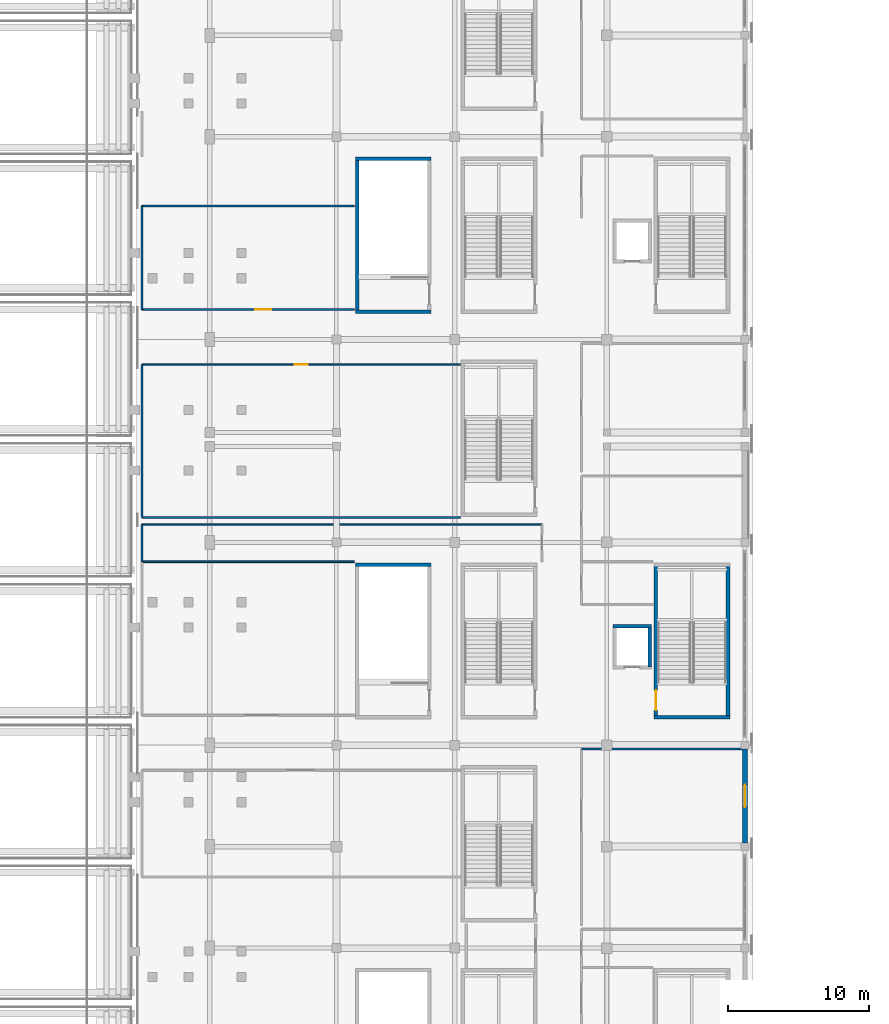
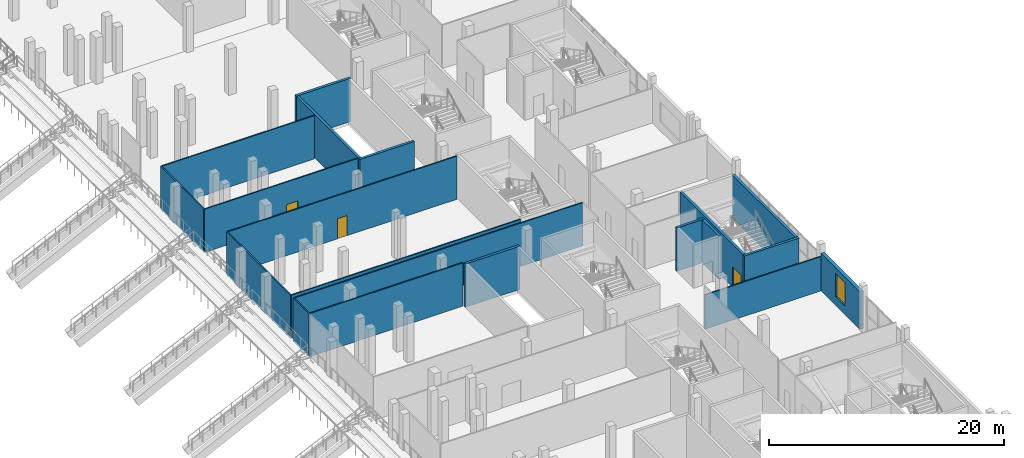
# One storey, part 81 of 129: 20 walls, 3 doors, 1 window, 4 openings.
"""IFC4 building model written with IfcOpenShell, lengths in metres."""

from ifc_helpers import new_model, si_unit, direction, frame, frame_2d, origin, place, context, subcontext, project, spatial, rectangle, extrude, material, layer, layer_set, type_object, element, fill, save


model = new_model("IFC4")

# Units and contexts
model_context = context("Model", 3, precision=1e-05, world=origin(), true_north=direction((0.0, 1.0)))
body_context = subcontext(model_context, "Body", "Model", "MODEL_VIEW")
ifc_project = project(units=[si_unit("LENGTHUNIT", "METRE"), si_unit("AREAUNIT", "SQUARE_METRE"), si_unit("VOLUMEUNIT", "CUBIC_METRE"), si_unit("PLANEANGLEUNIT", "RADIAN"), si_unit("MASSUNIT", "GRAM", prefix="KILO")], contexts=[model_context])

# Site, building, storey
site_placement = place(None, origin())
site = spatial("IfcSite", under=ifc_project, at=site_placement, CompositionType="ELEMENT")
building_placement = place(site_placement, origin())
building = spatial("IfcBuilding", under=site, at=building_placement, Name="Koshinbarg Plaza Stadium", CompositionType="ELEMENT")
storey_placement = place(building_placement, frame((0.0, 0.0, 5.39990234375)))
storey = spatial("IfcBuildingStorey", under=building, at=storey_placement, Name="L01", CompositionType="ELEMENT", Elevation=5.39990234375)

# Wall
ifc_material_1 = material(Name="Concrete C40/50", Category="concrete")
ifc_layer_1 = layer(ifc_material_1, 0.25)
ifc_layer_set_1 = layer_set([ifc_layer_1], Name="Concrete C40/50")
wall_type_1 = type_object("IfcWallType", Name="WL-CORE-250", PredefinedType="SHEAR", material=ifc_layer_set_1)
wall_1_placement = place(storey_placement, frame((211.949951171875, 56.27490234375, 0.0), z_axis=(0.0, 0.0, 1.0), x_axis=(1.0, 0.0, 0.0)))
element("IfcWall", 1, at=wall_1_placement, inside=storey, type_object=wall_type_1, Name="L01 core stair shear wall C08-near IWL-L01-0190", PredefinedType="SHEAR", context=body_context, shape_type="SweptSolid", body=[
    extrude(rectangle(XDim=5.3701171875, YDim=0.25, at=frame_2d((2.68505859375, 0.0))), origin(), (0.0, 0.0, 1.0), 4.5),
])

# Wall, opening, door
wall_2_placement = place(storey_placement, frame((212.074951171875, 56.27490234375, 0.0), z_axis=(0.0, 0.0, 1.0), x_axis=(0.0, 1.0, 0.0)))
wall_2 = element("IfcWall", 2, at=wall_2_placement, inside=storey, type_object=wall_type_1, Name="L01 core stair shear wall C08-left IWL-L01-0192", PredefinedType="SHEAR", context=body_context, shape_type="SweptSolid", body=[
    extrude(rectangle(XDim=10.85009765625, YDim=0.25, at=frame_2d((5.425048828125, 0.0))), origin(), (0.0, 0.0, 1.0), 4.5),
])
opening_1_placement = place(wall_2_placement, frame((0.52001953125, 0.0, 0.0)))
opening_1 = element("IfcOpeningElement", 3, at=opening_1_placement, cuts=wall_2, Name="Opening D-0110", PredefinedType="OPENING", context=body_context, shape_type="SweptSolid", body=[
    extrude(rectangle(XDim=1.39990234375, YDim=2.14990234375, at=frame_2d((0.699951171875, 1.074951171875))), frame((0.0, 0.135009765625, 0.0), z_axis=(0.0, -1.0, 0.0), x_axis=(1.0, 0.0, 0.0)), (0.0, 0.0, 1.0), 0.27001953125),
])
ifc_material_2 = material(Name="Painted galvanized steel fire door", Category="steel")
door_type_1 = type_object("IfcDoorType", Name="DR-STAIR-1400", OperationType="NOTDEFINED", PredefinedType="DOOR", material=ifc_material_2)
door_1_placement = place(opening_1_placement, frame((1.39990234375, 0.0, 0.0), z_axis=(0.0, 0.0, 1.0), x_axis=(-1.0, 0.0, 0.0)))
door_1 = element("IfcDoor", 4, at=door_1_placement, inside=storey, type_object=door_type_1, Name="L01 exit stair door C08", OperationType="SINGLE_SWING_RIGHT", OverallHeight=2.14990234375, OverallWidth=1.39990234375, PredefinedType="DOOR", context=body_context, shape_type="SweptSolid", body=[
    extrude(rectangle(XDim=1.39990234375, YDim=2.14990234375, at=frame_2d((0.699951171875, 1.074951171875))), frame((0.0, 0.02490234375, 0.0), z_axis=(0.0, -1.0, 0.0), x_axis=(1.0, 0.0, 0.0)), (0.0, 0.0, 1.0), 0.050048828125),
])
fill(opening_1, door_1)

# Walls
wall_3_placement = place(storey_placement, frame((217.195068359375, 56.27490234375, 0.0), z_axis=(0.0, 0.0, 1.0), x_axis=(0.0, 1.0, 0.0)))
element("IfcWall", 5, at=wall_3_placement, inside=storey, type_object=wall_type_1, Name="L01 core stair shear wall C08-right IWL-L01-0193", PredefinedType="SHEAR", context=body_context, shape_type="SweptSolid", body=[
    extrude(rectangle(XDim=10.85009765625, YDim=0.25, at=frame_2d((5.425048828125, 0.0))), origin(), (0.0, 0.0, 1.0), 4.5),
])
for number, where, z_axis, x_axis, name in (
    (6, (196.1201171875, 67.125, 0.0), (0.0, 0.0, 1.0), (-1.0, 0.0, 0.0), "L01 vomitory stair shear wall VL06-far IWL-L01-0591"),
    (7, (190.75, 85.074951171875, 0.0), (0.0, 0.0, 1.0), (1.0, 0.0, 0.0), "L01 vomitory stair shear wall VL07-near IWL-L01-0598"),
    (8, (196.1201171875, 95.925048828125, 0.0), (0.0, 0.0, 1.0), (-1.0, 0.0, 0.0), "L01 vomitory stair shear wall VL07-far IWL-L01-0599"),
):
    element("IfcWall", number, at=place(storey_placement, frame(where, z_axis=z_axis, x_axis=x_axis)), inside=storey, type_object=wall_type_1, Name=name, PredefinedType="SHEAR", context=body_context, shape_type="SweptSolid", body=[
        extrude(rectangle(XDim=5.3701171875, YDim=0.25, at=frame_2d((2.68505859375, 0.0))), origin(), (0.0, 0.0, 1.0), 4.5),
    ])
wall_4_placement = place(storey_placement, frame((190.875, 85.074951171875, 0.0), z_axis=(0.0, 0.0, 1.0), x_axis=(0.0, 1.0, 0.0)))
element("IfcWall", 9, at=wall_4_placement, inside=storey, type_object=wall_type_1, Name="L01 vomitory stair shear wall VL07-left IWL-L01-0600", PredefinedType="SHEAR", context=body_context, shape_type="SweptSolid", body=[
    extrude(rectangle(XDim=10.85009765625, YDim=0.25, at=frame_2d((5.425048828125, 0.0))), origin(), (0.0, 0.0, 1.0), 4.5),
])
wall_5_placement = place(storey_placement, frame((211.77490234375, 62.75, 0.0), z_axis=(0.0, 0.0, 1.0), x_axis=(-1.0, 0.0, 0.0)))
element("IfcWall", 10, at=wall_5_placement, inside=storey, type_object=wall_type_1, Name="L01 lift shaft shear wall LP04-N IWL-L01-0891", PredefinedType="SHEAR", context=body_context, shape_type="SweptSolid", body=[
    extrude(rectangle(XDim=2.75, YDim=0.25, at=frame_2d((1.375, 0.0))), origin(), (0.0, 0.0, 1.0), 4.5),
])
wall_6_placement = place(storey_placement, frame((211.64990234375, 59.85009765625, 0.0), z_axis=(0.0, 0.0, 1.0), x_axis=(0.0, 1.0, 0.0)))
element("IfcWall", 11, at=wall_6_placement, inside=storey, type_object=wall_type_1, Name="L01 lift shaft shear wall LP04-E IWL-L01-0893", PredefinedType="SHEAR", context=body_context, shape_type="SweptSolid", body=[
    extrude(rectangle(XDim=2.89990234375, YDim=0.25, at=frame_2d((1.449951171875, 0.0))), origin(), (0.0, 0.0, 1.0), 4.5),
])

# Wall, opening, window
ifc_material_3 = material(Name="Acoustic insulated masonry stadium wall", Category="masonry")
ifc_layer_2 = layer(ifc_material_3, 0.35009765625)
ifc_layer_set_2 = layer_set([ifc_layer_2], Name="Acoustic insulated masonry stadium wall")
wall_type_2 = type_object("IfcWallType", Name="WL-EXT-350", PredefinedType="SOLIDWALL", material=ifc_layer_set_2)
wall_7_placement = place(storey_placement, frame((218.39990234375, 54.030029296875, 0.0), z_axis=(0.0, 0.0, 1.0), x_axis=(0.0, -1.0, 0.0)))
wall_7 = element("IfcWall", 12, at=wall_7_placement, inside=storey, type_object=wall_type_2, Name="L01 exterior envelope wall EWL-L01-0095", PredefinedType="SOLIDWALL", context=body_context, shape_type="SweptSolid", body=[
    extrude(rectangle(XDim=6.659912109375, YDim=0.35009765625, at=frame_2d((3.330078125, 0.0))), origin(), (0.0, 0.0, 1.0), 3.880126953125),
])
opening_2_placement = place(wall_7_placement, frame((2.530029296875, 0.0, 0.89990234375)))
opening_2 = element("IfcOpeningElement", 13, at=opening_2_placement, cuts=wall_7, Name="Opening WN19", PredefinedType="OPENING", context=body_context, shape_type="SweptSolid", body=[
    extrude(rectangle(XDim=1.60009765625, YDim=2.39990234375, at=frame_2d((0.800048828125, 1.199951171875))), frame((0.0, 0.18505859375, 0.0), z_axis=(0.0, -1.0, 0.0), x_axis=(1.0, 0.0, 0.0)), (0.0, 0.0, 1.0), 0.3701171875),
])
ifc_material_4 = material(Name="Solar-control double glazing in thermally broken aluminium frame", Category="aluminium")
window_type = type_object("IfcWindowType", Name="WN-FAC-19", PartitioningType="DOUBLE_PANEL_VERTICAL", PredefinedType="WINDOW", material=ifc_material_4)
window_placement = place(opening_2_placement, origin())
window = element("IfcWindow", 14, at=window_placement, inside=storey, type_object=window_type, Name="L01 facade window 0035", OverallHeight=2.39990234375, OverallWidth=1.60009765625, PartitioningType="SINGLE_PANEL", PredefinedType="WINDOW", context=body_context, shape_type="SweptSolid", body=[
    extrude(rectangle(XDim=1.60009765625, YDim=2.39990234375, at=frame_2d((0.800048828125, 1.199951171875))), frame((0.0, 0.030029296875, 0.0), z_axis=(0.0, -1.0, 0.0), x_axis=(1.0, 0.0, 0.0)), (0.0, 0.0, 1.0), 0.06005859375),
])
fill(opening_2, window)

# Walls
ifc_material_5 = material(Name="Gypsum board metal-stud acoustic partition")
ifc_layer_3 = layer(ifc_material_5, 0.1201171875)
ifc_layer_set_3 = layer_set([ifc_layer_3], Name="Gypsum board metal-stud acoustic partition")
wall_type_3 = type_object("IfcWallType", Name="WL-PART-120", PredefinedType="PARTITIONING", material=ifc_layer_set_3)
wall_8_placement = place(storey_placement, frame((218.2548828125, 54.030029296875, 0.0), z_axis=(0.0, 0.0, 1.0), x_axis=(-1.0, 0.0, 0.0)))
element("IfcWall", 15, at=wall_8_placement, inside=storey, type_object=wall_type_3, Name="L01 interior partition L01-101-north IWL-L01-1407", PredefinedType="PARTITIONING", context=body_context, shape_type="SweptSolid", body=[
    extrude(rectangle(XDim=11.454833984375, YDim=0.1201171875, at=frame_2d((5.7275390625, 0.0))), origin(), (0.0, 0.0, 1.0), 3.580078125),
])
wall_9_placement = place(storey_placement, frame((204.0, 69.97802734375, 0.0), z_axis=(0.0, 0.0, 1.0), x_axis=(-1.0, 0.0, 0.0)))
element("IfcWall", 16, at=wall_9_placement, inside=storey, type_object=wall_type_3, Name="L01 interior partition L01-102-north IWL-L01-1410", PredefinedType="PARTITIONING", context=body_context, shape_type="SweptSolid", body=[
    extrude(rectangle(XDim=28.39990234375, YDim=0.1201171875, at=frame_2d((14.199951171875, 0.0))), origin(), (0.0, 0.0, 1.0), 4.5),
])
wall_10_placement = place(storey_placement, frame((175.60009765625, 69.97802734375, 0.0), z_axis=(0.0, 0.0, 1.0), x_axis=(0.0, -1.0, 0.0)))
element("IfcWall", 17, at=wall_10_placement, inside=storey, type_object=wall_type_3, Name="L01 interior partition L01-102-west IWL-L01-1411", PredefinedType="PARTITIONING", context=body_context, shape_type="SweptSolid", body=[
    extrude(rectangle(XDim=2.64794921875, YDim=0.1201171875, at=frame_2d((1.323974609375, 0.0))), origin(), (0.0, 0.0, 1.0), 4.5),
])
wall_11_placement = place(storey_placement, frame((190.669921875, 67.330078125, 0.0), z_axis=(0.0, 0.0, 1.0), x_axis=(-1.0, 0.0, 0.0)))
element("IfcWall", 18, at=wall_11_placement, inside=storey, type_object=wall_type_3, Name="L01 interior partition L01-103-north IWL-L01-1413", PredefinedType="PARTITIONING", context=body_context, shape_type="SweptSolid", body=[
    extrude(rectangle(XDim=15.06982421875, YDim=0.1201171875, at=frame_2d((7.534912109375, 0.0))), origin(), (0.0, 0.0, 1.0), 4.5),
])
wall_12_placement = place(storey_placement, frame((175.60009765625, 70.469970703125, 0.0), z_axis=(0.0, 0.0, 1.0), x_axis=(1.0, 0.0, 0.0)))
element("IfcWall", 19, at=wall_12_placement, inside=storey, type_object=wall_type_3, Name="L01 interior partition L01-104-south IWL-L01-1415", PredefinedType="PARTITIONING", context=body_context, shape_type="SweptSolid", body=[
    extrude(rectangle(XDim=22.56982421875, YDim=0.1201171875, at=frame_2d((11.284912109375, 0.0))), origin(), (0.0, 0.0, 1.0), 4.5),
])

# Wall, opening, door
wall_13_placement = place(storey_placement, frame((198.169921875, 81.320068359375, 0.0), z_axis=(0.0, 0.0, 1.0), x_axis=(-1.0, 0.0, 0.0)))
wall_13 = element("IfcWall", 20, at=wall_13_placement, inside=storey, type_object=wall_type_3, Name="L01 interior partition L01-104-north IWL-L01-1416", PredefinedType="PARTITIONING", context=body_context, shape_type="SweptSolid", body=[
    extrude(rectangle(XDim=22.56982421875, YDim=0.1201171875, at=frame_2d((11.284912109375, 0.0))), origin(), (0.0, 0.0, 1.0), 4.5),
])
opening_3_placement = place(wall_13_placement, frame((10.824951171875, 0.0, 0.0)))
opening_3 = element("IfcOpeningElement", 21, at=opening_3_placement, cuts=wall_13, Name="Opening D-0470", PredefinedType="OPENING", context=body_context, shape_type="SweptSolid", body=[
    extrude(rectangle(XDim=0.919921875, YDim=2.10009765625, at=frame_2d((0.4599609375, 1.050048828125))), frame((0.0, 0.070068359375, 0.0), z_axis=(0.0, -1.0, 0.0), x_axis=(1.0, 0.0, 0.0)), (0.0, 0.0, 1.0), 0.14013671875),
])
ifc_material_6 = material(Name="Solid-core oak veneer acoustic door")
door_type_2 = type_object("IfcDoorType", Name="DR-INT-0920x2100", OperationType="NOTDEFINED", PredefinedType="DOOR", material=ifc_material_6)
door_2_placement = place(opening_3_placement, origin())
door_2 = element("IfcDoor", 22, at=door_2_placement, inside=storey, type_object=door_type_2, Name="L01 Concession Kitchen door D-0470", OperationType="SINGLE_SWING_RIGHT", OverallHeight=2.10009765625, OverallWidth=0.919921875, PredefinedType="DOOR", context=body_context, shape_type="SweptSolid", body=[
    extrude(rectangle(XDim=0.919921875, YDim=2.10009765625, at=frame_2d((0.4599609375, 1.050048828125))), frame((0.0, 0.02490234375, 0.0), z_axis=(0.0, -1.0, 0.0), x_axis=(1.0, 0.0, 0.0)), (0.0, 0.0, 1.0), 0.050048828125),
])
fill(opening_3, door_2)

# Wall
wall_14_placement = place(storey_placement, frame((175.60009765625, 81.320068359375, 0.0), z_axis=(0.0, 0.0, 1.0), x_axis=(0.0, -1.0, 0.0)))
element("IfcWall", 23, at=wall_14_placement, inside=storey, type_object=wall_type_3, Name="L01 interior partition L01-104-west IWL-L01-1417", PredefinedType="PARTITIONING", context=body_context, shape_type="SweptSolid", body=[
    extrude(rectangle(XDim=10.85009765625, YDim=0.1201171875, at=frame_2d((5.425048828125, 0.0))), origin(), (0.0, 0.0, 1.0), 4.5),
])

# Wall, opening, door
wall_15_placement = place(storey_placement, frame((175.60009765625, 85.22998046875, 0.0), z_axis=(0.0, 0.0, 1.0), x_axis=(1.0, 0.0, 0.0)))
wall_15 = element("IfcWall", 24, at=wall_15_placement, inside=storey, type_object=wall_type_3, Name="L01 interior partition L01-108-south IWL-L01-1425", PredefinedType="PARTITIONING", context=body_context, shape_type="SweptSolid", body=[
    extrude(rectangle(XDim=15.06982421875, YDim=0.1201171875, at=frame_2d((7.534912109375, 0.0))), origin(), (0.0, 0.0, 1.0), 4.5),
])
opening_4_placement = place(wall_15_placement, frame((8.034912109375, 0.0, 0.0)))
opening_4 = element("IfcOpeningElement", 25, at=opening_4_placement, cuts=wall_15, Name="Opening D-0474", PredefinedType="OPENING", context=body_context, shape_type="SweptSolid", body=[
    extrude(rectangle(XDim=1.1201171875, YDim=2.14990234375, at=frame_2d((0.56005859375, 1.074951171875))), frame((0.0, 0.070068359375, 0.0), z_axis=(0.0, -1.0, 0.0), x_axis=(1.0, 0.0, 0.0)), (0.0, 0.0, 1.0), 0.14013671875),
])
ifc_material_7 = material(Name="Acoustic timber broadcast studio door", Category="wood")
door_type_3 = type_object("IfcDoorType", Name="DR-INT-1120x2150", OperationType="NOTDEFINED", PredefinedType="DOOR", material=ifc_material_7)
door_3_placement = place(opening_4_placement, origin())
door_3 = element("IfcDoor", 26, at=door_3_placement, inside=storey, type_object=door_type_3, Name="L01 East Lower Public Concourse door D-0474", OperationType="SINGLE_SWING_RIGHT", OverallHeight=2.14990234375, OverallWidth=1.1201171875, PredefinedType="DOOR", context=body_context, shape_type="SweptSolid", body=[
    extrude(rectangle(XDim=1.1201171875, YDim=2.14990234375, at=frame_2d((0.56005859375, 1.074951171875))), frame((0.0, 0.02490234375, 0.0), z_axis=(0.0, -1.0, 0.0), x_axis=(1.0, 0.0, 0.0)), (0.0, 0.0, 1.0), 0.050048828125),
])
fill(opening_4, door_3)

# Walls
wall_16_placement = place(storey_placement, frame((190.669921875, 92.583251953125, 0.0), z_axis=(0.0, 0.0, 1.0), x_axis=(-1.0, 0.0, 0.0)))
element("IfcWall", 27, at=wall_16_placement, inside=storey, type_object=wall_type_3, Name="L01 interior partition L01-108-north IWL-L01-1426", PredefinedType="PARTITIONING", context=body_context, shape_type="SweptSolid", body=[
    extrude(rectangle(XDim=15.06982421875, YDim=0.1201171875, at=frame_2d((7.534912109375, 0.0))), origin(), (0.0, 0.0, 1.0), 4.5),
])
wall_17_placement = place(storey_placement, frame((175.60009765625, 92.583251953125, 0.0), z_axis=(0.0, 0.0, 1.0), x_axis=(0.0, -1.0, 0.0)))
element("IfcWall", 28, at=wall_17_placement, inside=storey, type_object=wall_type_3, Name="L01 interior partition L01-108-west IWL-L01-1427", PredefinedType="PARTITIONING", context=body_context, shape_type="SweptSolid", body=[
    extrude(rectangle(XDim=7.353271484375, YDim=0.1201171875, at=frame_2d((3.6767578125, 0.0))), origin(), (0.0, 0.0, 1.0), 4.5),
])

save(model, "model.ifc")
